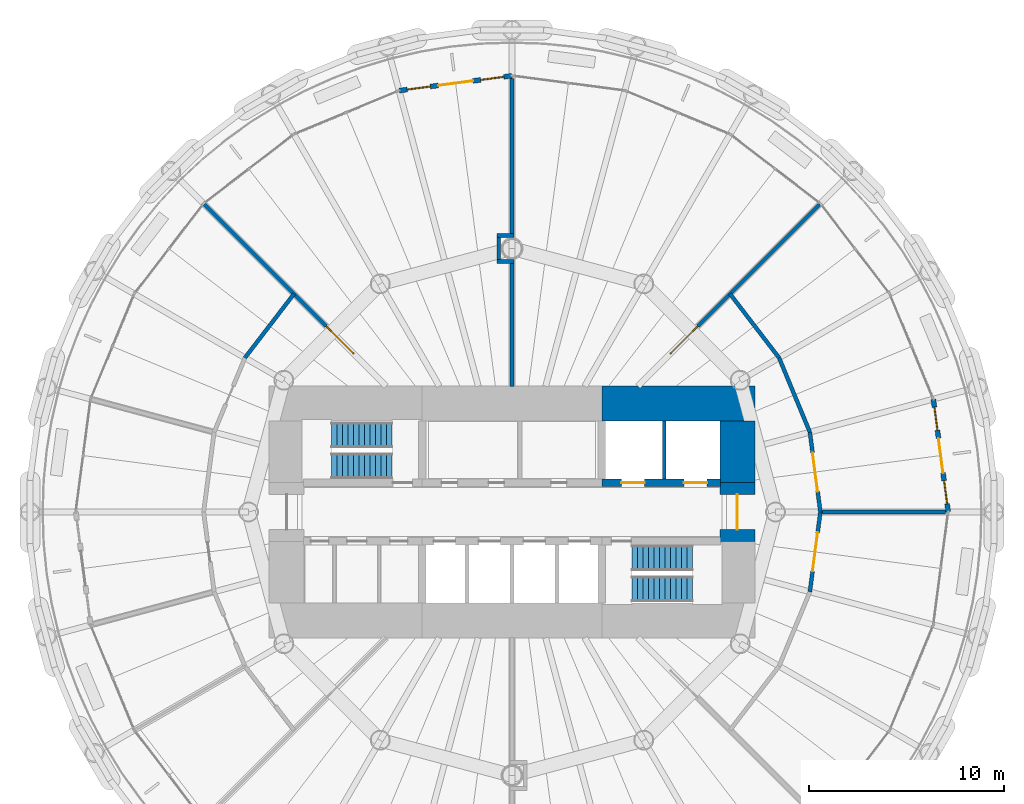
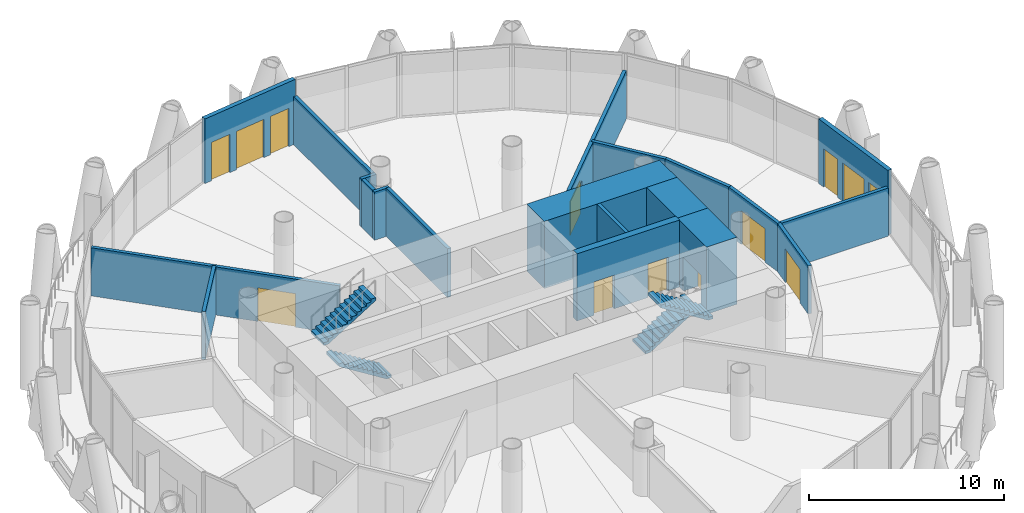
# One storey, part 11 of 15: 20 walls, 9 doors, 4 stair flights, 4 windows, 13 openings, 2 elements without a shape of their own.
"""IFC4 building model written with IfcOpenShell, lengths in metres."""

from ifc_helpers import new_model, si_unit, direction, frame, frame_2d, origin, place, context, subcontext, project, spatial, polyline, rectangle, outline, extrude, material, layer, layer_set, type_object, element, fill, aggregate, save


model = new_model("IFC4")

# Units and contexts
model_context = context("Model", 3, precision=1e-05, world=origin(), true_north=direction((0.0, 1.0)))
body_context = subcontext(model_context, "Body", "Model", "MODEL_VIEW")
ifc_project = project(units=[si_unit("LENGTHUNIT", "METRE"), si_unit("AREAUNIT", "SQUARE_METRE"), si_unit("VOLUMEUNIT", "CUBIC_METRE"), si_unit("PLANEANGLEUNIT", "RADIAN"), si_unit("MASSUNIT", "GRAM", prefix="KILO")], contexts=[model_context])

# Site, building, storey
site_placement = place(None, origin())
site = spatial("IfcSite", under=ifc_project, at=site_placement, CompositionType="ELEMENT")
building_placement = place(site_placement, origin())
building = spatial("IfcBuilding", under=site, at=building_placement, Name="Qaws Media Tower", CompositionType="ELEMENT")
storey_placement = place(building_placement, frame((0.0, 0.0, 156.199951171875)))
storey = spatial("IfcBuildingStorey", under=building, at=storey_placement, Name="L35", CompositionType="ELEMENT", Elevation=156.199951171875)

# Wall, openings, door, windows
ifc_material_1 = material(Name="Precast concrete, exposed finish", Category="concrete")
ifc_layer_1 = layer(ifc_material_1, 0.25)
ifc_layer_set_1 = layer_set([ifc_layer_1], Name="Balcony door wall 250")
wall_type_1 = type_object("IfcWallType", Name="Balcony door wall 250", PredefinedType="SOLIDWALL", material=ifc_layer_set_1)
wall_1_placement = place(storey_placement, frame((82.35009765625, 50.0, 0.0), z_axis=(0.0, 0.0, 1.0), x_axis=(-0.130551928551, 0.991441472782, 0.0)))
wall_1 = element("IfcWall", 1, at=wall_1_placement, inside=storey, type_object=wall_type_1, Name="W205 EW1 balcony door wall L35-01", PredefinedType="SOLIDWALL", context=body_context, shape_type="SweptSolid", body=[
    extrude(rectangle(XDim=5.834716796875, YDim=0.25, at=frame_2d((2.91748046875, 0.0))), origin(), (0.0, 0.0, 1.0), 4.0400390625),
])
opening_1_placement = place(wall_1_placement, frame((2.017333984375, 0.0, 0.0)))
opening_1 = element("IfcOpeningElement", 2, at=opening_1_placement, cuts=wall_1, Name="Opening D7", PredefinedType="OPENING", context=body_context, shape_type="SweptSolid", body=[
    extrude(rectangle(XDim=1.800048828125, YDim=2.39990234375, at=frame_2d((0.89990234375, 1.199951171875))), frame((0.0, 0.135009765625, 0.0), z_axis=(0.0, -1.0, 0.0), x_axis=(1.0, 0.0, 0.0)), (0.0, 0.0, 1.0), 0.27001953125),
])
opening_2_placement = place(wall_1_placement, frame((0.417236328125, 0.0, 0.0)))
opening_2 = element("IfcOpeningElement", 3, at=opening_2_placement, cuts=wall_1, Name="Opening W1", PredefinedType="OPENING", context=body_context, shape_type="SweptSolid", body=[
    extrude(rectangle(XDim=1.199951171875, YDim=2.39990234375, at=frame_2d((0.60009765625, 1.199951171875))), frame((0.0, 0.135009765625, 0.0), z_axis=(0.0, -1.0, 0.0), x_axis=(1.0, 0.0, 0.0)), (0.0, 0.0, 1.0), 0.27001953125),
])
opening_3_placement = place(wall_1_placement, frame((4.21728515625, 0.0, 0.0)))
opening_3 = element("IfcOpeningElement", 4, at=opening_3_placement, cuts=wall_1, Name="Opening W1", PredefinedType="OPENING", context=body_context, shape_type="SweptSolid", body=[
    extrude(rectangle(XDim=1.199951171875, YDim=2.39990234375, at=frame_2d((0.60009765625, 1.199951171875))), frame((0.0, 0.135009765625, 0.0), z_axis=(0.0, -1.0, 0.0), x_axis=(1.0, 0.0, 0.0)), (0.0, 0.0, 1.0), 0.27001953125),
])
ifc_material_2 = material(Name="Aluminium and clear glass", Category="aluminium")
door_type_1 = type_object("IfcDoorType", Name="Balcony door pair 1800", OperationType="DOUBLE_DOOR_SLIDING", PredefinedType="DOOR", material=ifc_material_2)
door_1_placement = place(opening_1_placement, origin())
door_1 = element("IfcDoor", 5, at=door_1_placement, inside=storey, type_object=door_type_1, Name="D7 balcony door L35-01 in wall W205", OperationType="DOUBLE_DOOR_SLIDING", OverallHeight=2.39990234375, OverallWidth=1.800048828125, PredefinedType="DOOR", context=body_context, shape_type="SweptSolid", body=[
    extrude(rectangle(XDim=1.800048828125, YDim=2.39990234375, at=frame_2d((0.89990234375, 1.199951171875))), frame((0.0, 0.02490234375, 0.0), z_axis=(0.0, -1.0, 0.0), x_axis=(1.0, 0.0, 0.0)), (0.0, 0.0, 1.0), 0.050048828125),
])
fill(opening_1, door_1)
ifc_material_3 = material(Name="Aluminium and clear glass", Category="aluminium")
window_type = type_object("IfcWindowType", Name="Balcony side window 1200", PartitioningType="SINGLE_PANEL", PredefinedType="WINDOW", material=ifc_material_3)
window_1_placement = place(opening_2_placement, origin())
window_1 = element("IfcWindow", 6, at=window_1_placement, inside=storey, type_object=window_type, Name="W1 balcony side light L35-01L", OverallHeight=2.39990234375, OverallWidth=1.199951171875, PartitioningType="SINGLE_PANEL", PredefinedType="WINDOW", context=body_context, shape_type="SweptSolid", body=[
    extrude(rectangle(XDim=1.199951171875, YDim=2.39990234375, at=frame_2d((0.60009765625, 1.199951171875))), frame((0.0, 0.030029296875, 0.0), z_axis=(0.0, -1.0, 0.0), x_axis=(1.0, 0.0, 0.0)), (0.0, 0.0, 1.0), 0.06005859375),
])
fill(opening_2, window_1)
window_2_placement = place(opening_3_placement, origin())
window_2 = element("IfcWindow", 7, at=window_2_placement, inside=storey, type_object=window_type, Name="W1 balcony side light L35-01R", OverallHeight=2.39990234375, OverallWidth=1.199951171875, PartitioningType="SINGLE_PANEL", PredefinedType="WINDOW", context=body_context, shape_type="SweptSolid", body=[
    extrude(rectangle(XDim=1.199951171875, YDim=2.39990234375, at=frame_2d((0.60009765625, 1.199951171875))), frame((0.0, 0.030029296875, 0.0), z_axis=(0.0, -1.0, 0.0), x_axis=(1.0, 0.0, 0.0)), (0.0, 0.0, 1.0), 0.06005859375),
])
fill(opening_3, window_2)

wall_2_placement = place(storey_placement, frame((60.0, 72.35009765625, 0.0), z_axis=(0.0, 0.0, 1.0), x_axis=(-0.991441472782, -0.130551928551, 0.0)))
wall_2 = element("IfcWall", 8, at=wall_2_placement, inside=storey, type_object=wall_type_1, Name="W204 EW1 balcony door wall L35-07", PredefinedType="SOLIDWALL", context=body_context, shape_type="SweptSolid", body=[
    extrude(rectangle(XDim=5.834716796875, YDim=0.25, at=frame_2d((2.91748046875, 0.0))), origin(), (0.0, 0.0, 1.0), 4.0400390625),
])
opening_4_placement = place(wall_2_placement, frame((2.017333984375, 0.0, 0.0)))
opening_4 = element("IfcOpeningElement", 9, at=opening_4_placement, cuts=wall_2, Name="Opening D7", PredefinedType="OPENING", context=body_context, shape_type="SweptSolid", body=[
    extrude(rectangle(XDim=1.800048828125, YDim=2.39990234375, at=frame_2d((0.89990234375, 1.199951171875))), frame((0.0, 0.135009765625, 0.0), z_axis=(0.0, -1.0, 0.0), x_axis=(1.0, 0.0, 0.0)), (0.0, 0.0, 1.0), 0.27001953125),
])
opening_5_placement = place(wall_2_placement, frame((0.417236328125, 0.0, 0.0)))
opening_5 = element("IfcOpeningElement", 10, at=opening_5_placement, cuts=wall_2, Name="Opening W1", PredefinedType="OPENING", context=body_context, shape_type="SweptSolid", body=[
    extrude(rectangle(XDim=1.199951171875, YDim=2.39990234375, at=frame_2d((0.60009765625, 1.199951171875))), frame((0.0, 0.135009765625, 0.0), z_axis=(0.0, -1.0, 0.0), x_axis=(1.0, 0.0, 0.0)), (0.0, 0.0, 1.0), 0.27001953125),
])
opening_6_placement = place(wall_2_placement, frame((4.21728515625, 0.0, 0.0)))
opening_6 = element("IfcOpeningElement", 11, at=opening_6_placement, cuts=wall_2, Name="Opening W1", PredefinedType="OPENING", context=body_context, shape_type="SweptSolid", body=[
    extrude(rectangle(XDim=1.199951171875, YDim=2.39990234375, at=frame_2d((0.60009765625, 1.199951171875))), frame((0.0, 0.135009765625, 0.0), z_axis=(0.0, -1.0, 0.0), x_axis=(1.0, 0.0, 0.0)), (0.0, 0.0, 1.0), 0.27001953125),
])
door_2_placement = place(opening_4_placement, origin())
door_2 = element("IfcDoor", 12, at=door_2_placement, inside=storey, type_object=door_type_1, Name="D7 balcony door L35-07 in wall W204", OperationType="DOUBLE_DOOR_SLIDING", OverallHeight=2.39990234375, OverallWidth=1.800048828125, PredefinedType="DOOR", context=body_context, shape_type="SweptSolid", body=[
    extrude(rectangle(XDim=1.800048828125, YDim=2.39990234375, at=frame_2d((0.89990234375, 1.199951171875))), frame((0.0, 0.02490234375, 0.0), z_axis=(0.0, -1.0, 0.0), x_axis=(1.0, 0.0, 0.0)), (0.0, 0.0, 1.0), 0.050048828125),
])
fill(opening_4, door_2)
window_3_placement = place(opening_5_placement, origin())
window_3 = element("IfcWindow", 13, at=window_3_placement, inside=storey, type_object=window_type, Name="W1 balcony side light L35-07L", OverallHeight=2.39990234375, OverallWidth=1.199951171875, PartitioningType="SINGLE_PANEL", PredefinedType="WINDOW", context=body_context, shape_type="SweptSolid", body=[
    extrude(rectangle(XDim=1.199951171875, YDim=2.39990234375, at=frame_2d((0.60009765625, 1.199951171875))), frame((0.0, 0.030029296875, 0.0), z_axis=(0.0, -1.0, 0.0), x_axis=(1.0, 0.0, 0.0)), (0.0, 0.0, 1.0), 0.06005859375),
])
fill(opening_5, window_3)
window_4_placement = place(opening_6_placement, origin())
window_4 = element("IfcWindow", 14, at=window_4_placement, inside=storey, type_object=window_type, Name="W1 balcony side light L35-07R", OverallHeight=2.39990234375, OverallWidth=1.199951171875, PartitioningType="SINGLE_PANEL", PredefinedType="WINDOW", context=body_context, shape_type="SweptSolid", body=[
    extrude(rectangle(XDim=1.199951171875, YDim=2.39990234375, at=frame_2d((0.60009765625, 1.199951171875))), frame((0.0, 0.030029296875, 0.0), z_axis=(0.0, -1.0, 0.0), x_axis=(1.0, 0.0, 0.0)), (0.0, 0.0, 1.0), 0.06005859375),
])
fill(opening_6, window_4)

# Wall, openings, doors
ifc_material_4 = material(Name="Concrete C60/75", Category="concrete")
ifc_layer_2 = layer(ifc_material_4, 0.39990234375)
ifc_layer_set_2 = layer_set([ifc_layer_2], Name="Core inner wall 400")
wall_type_2 = type_object("IfcWallType", Name="Core inner wall 400", PredefinedType="SHEAR", material=ifc_layer_set_2)
wall_3_placement = place(storey_placement, frame((64.60009765625, 51.5, 0.0), z_axis=(0.0, 0.0, 1.0), x_axis=(1.0, 0.0, 0.0)))
wall_3 = element("IfcWall", 15, at=wall_3_placement, inside=storey, type_object=wall_type_2, Name="W326 SW4 core wall SPNE L35", PredefinedType="SHEAR", context=body_context, shape_type="SweptSolid", body=[
    extrude(rectangle(XDim=6.06982421875, YDim=0.39990234375, at=frame_2d((3.034912109375, 0.0))), origin(), (0.0, 0.0, 1.0), 4.199951171875),
])
opening_7_placement = place(wall_3_placement, frame((1.0, 0.0, 0.0)))
opening_7 = element("IfcOpeningElement", 16, at=opening_7_placement, cuts=wall_3, Name="Opening LD2", PredefinedType="OPENING", context=body_context, shape_type="SweptSolid", body=[
    extrude(rectangle(XDim=1.199951171875, YDim=2.10009765625, at=frame_2d((0.60009765625, 1.050048828125))), frame((0.0, 0.2099609375, 0.0), z_axis=(0.0, -1.0, 0.0), x_axis=(1.0, 0.0, 0.0)), (0.0, 0.0, 1.0), 0.419921875),
])
opening_8_placement = place(wall_3_placement, frame((4.199951171875, 0.0, 0.0)))
opening_8 = element("IfcOpeningElement", 17, at=opening_8_placement, cuts=wall_3, Name="Opening LD2", PredefinedType="OPENING", context=body_context, shape_type="SweptSolid", body=[
    extrude(rectangle(XDim=1.199951171875, YDim=2.10009765625, at=frame_2d((0.60009765625, 1.050048828125))), frame((0.0, 0.2099609375, 0.0), z_axis=(0.0, -1.0, 0.0), x_axis=(1.0, 0.0, 0.0)), (0.0, 0.0, 1.0), 0.419921875),
])
ifc_material_5 = material(Name="Steel, fire rated", Category="steel")
door_type_2 = type_object("IfcDoorType", Name="Lift landing door 1200", OperationType="SLIDING_TO_LEFT", PredefinedType="DOOR", material=ifc_material_5)
door_3_placement = place(opening_7_placement, origin())
door_3 = element("IfcDoor", 18, at=door_3_placement, inside=storey, type_object=door_type_2, Name="FL1 landing door L35 in wall W326", OperationType="SLIDING_TO_LEFT", OverallHeight=2.10009765625, OverallWidth=1.199951171875, PredefinedType="DOOR", context=body_context, shape_type="SweptSolid", body=[
    extrude(rectangle(XDim=1.199951171875, YDim=2.10009765625, at=frame_2d((0.60009765625, 1.050048828125))), frame((0.0, 0.02490234375, 0.0), z_axis=(0.0, -1.0, 0.0), x_axis=(1.0, 0.0, 0.0)), (0.0, 0.0, 1.0), 0.050048828125),
])
fill(opening_7, door_3)
door_4_placement = place(opening_8_placement, origin())
door_4 = element("IfcDoor", 19, at=door_4_placement, inside=storey, type_object=door_type_2, Name="FL2 landing door L35 in wall W326", OperationType="SLIDING_TO_LEFT", OverallHeight=2.10009765625, OverallWidth=1.199951171875, PredefinedType="DOOR", context=body_context, shape_type="SweptSolid", body=[
    extrude(rectangle(XDim=1.199951171875, YDim=2.10009765625, at=frame_2d((0.60009765625, 1.050048828125))), frame((0.0, 0.02490234375, 0.0), z_axis=(0.0, -1.0, 0.0), x_axis=(1.0, 0.0, 0.0)), (0.0, 0.0, 1.0), 0.050048828125),
])
fill(opening_8, door_4)

# Wall
ifc_material_6 = material(Name="Concrete C60/75", Category="concrete")
ifc_layer_3 = layer(ifc_material_6, 1.800048828125)
ifc_layer_set_3 = layer_set([ifc_layer_3], Name="Core wall 1800")
wall_type_3 = type_object("IfcWallType", Name="Core wall 1800", PredefinedType="SHEAR", material=ifc_layer_set_3)
wall_4_placement = place(storey_placement, frame((64.60009765625, 55.550048828125, 0.0), z_axis=(0.0, 0.0, 1.0), x_axis=(1.0, 0.0, 0.0)))
element("IfcWall", 20, at=wall_4_placement, inside=storey, type_object=wall_type_3, Name="W423 SW11 core wall NE L35", PredefinedType="SHEAR", context=body_context, shape_type="SweptSolid", body=[
    extrude(rectangle(XDim=7.849853515625, YDim=1.800048828125, at=frame_2d((3.9248046875, 0.0))), origin(), (0.0, 0.0, 1.0), 4.199951171875),
])

# Wall, opening, door
wall_5_placement = place(storey_placement, frame((71.550048828125, 48.5, 0.0), z_axis=(0.0, 0.0, 1.0), x_axis=(0.0, 1.0, 0.0)))
wall_5 = element("IfcWall", 21, at=wall_5_placement, inside=storey, type_object=wall_type_3, Name="W427 SW11 core wall E L35", PredefinedType="SHEAR", context=body_context, shape_type="SweptSolid", body=[
    extrude(rectangle(XDim=3.0, YDim=1.800048828125, at=frame_2d((1.5, 0.0))), origin(), (0.0, 0.0, 1.0), 4.199951171875),
])
opening_9_placement = place(wall_5_placement, frame((0.60009765625, 0.0, 0.0)))
opening_9 = element("IfcOpeningElement", 22, at=opening_9_placement, cuts=wall_5, Name="Opening D2", PredefinedType="OPENING", context=body_context, shape_type="SweptSolid", body=[
    extrude(rectangle(XDim=1.800048828125, YDim=2.10009765625, at=frame_2d((0.89990234375, 1.050048828125))), frame((0.0, 0.909912109375, 0.0), z_axis=(0.0, -1.0, 0.0), x_axis=(1.0, 0.0, 0.0)), (0.0, 0.0, 1.0), 1.820068359375),
])
ifc_material_7 = material(Name="Steel and glass, fire rated", Category="steel")
door_type_3 = type_object("IfcDoorType", Name="Lobby door pair 1800 FD60", OperationType="DOUBLE_DOOR_DOUBLE_SWING", PredefinedType="DOOR", material=ifc_material_7)
door_5_placement = place(opening_9_placement, origin())
door_5 = element("IfcDoor", 23, at=door_5_placement, inside=storey, type_object=door_type_3, Name="D2 core lobby door E L35 in wall W427", OperationType="DOUBLE_DOOR_DOUBLE_SWING", OverallHeight=2.10009765625, OverallWidth=1.800048828125, PredefinedType="DOOR", context=body_context, shape_type="SweptSolid", body=[
    extrude(rectangle(XDim=1.800048828125, YDim=2.10009765625, at=frame_2d((0.89990234375, 1.050048828125))), frame((0.0, 0.02490234375, 0.0), z_axis=(0.0, -1.0, 0.0), x_axis=(1.0, 0.0, 0.0)), (0.0, 0.0, 1.0), 0.050048828125),
])
fill(opening_9, door_5)

# Walls
wall_6_placement = place(storey_placement, frame((71.550048828125, 51.5, 0.0), z_axis=(0.0, 0.0, 1.0), x_axis=(0.0, 1.0, 0.0)))
element("IfcWall", 24, at=wall_6_placement, inside=storey, type_object=wall_type_3, Name="W425 SW11 core wall EN L35", PredefinedType="SHEAR", context=body_context, shape_type="SweptSolid", body=[
    extrude(rectangle(XDim=3.169921875, YDim=1.800048828125, at=frame_2d((1.5849609375, 0.0))), origin(), (0.0, 0.0, 1.0), 4.199951171875),
])
ifc_material_8 = material(Name="Gypsum board on galvanised metal studs, acoustic double stud, deflection head", Category="gypsum")
ifc_layer_4 = layer(ifc_material_8, 0.199951171875)
ifc_layer_set_4 = layer_set([ifc_layer_4], Name="Room partition 200")
wall_type_4 = type_object("IfcWallType", Name="Room partition 200", PredefinedType="PARTITIONING", material=ifc_layer_set_4)
for number, where, z_axis, x_axis, name in (
    (25, (46.31689453125, 57.89990234375, 0.0), (0.0, 0.0, 1.0), (0.608714823874, 0.793389099494, 0.0), "W1340 IW3 partition L35"),
    (26, (71.17236328125, 61.17236328125, 0.0), (0.0, 0.0, 1.0), (0.608714823874, -0.793389099494, 0.0), "W1353 IW3 partition L35"),
):
    element("IfcWall", number, at=place(storey_placement, frame(where, z_axis=z_axis, x_axis=x_axis)), inside=storey, type_object=wall_type_4, Name=name, PredefinedType="PARTITIONING", context=body_context, shape_type="SweptSolid", body=[
        extrude(rectangle(XDim=4.124755859375, YDim=0.199951171875, at=frame_2d((2.0625, 0.0))), origin(), (0.0, 0.0, 1.0), 3.011962890625),
    ])
wall_7_placement = place(storey_placement, frame((73.68310546875, 57.89990234375, 0.0), z_axis=(0.0, 0.0, 1.0), x_axis=(0.382731667114, -0.923859551549, 0.0)))
element("IfcWall", 27, at=wall_7_placement, inside=storey, type_object=wall_type_4, Name="W1355 IW3 partition L35", PredefinedType="PARTITIONING", context=body_context, shape_type="SweptSolid", body=[
    extrude(rectangle(XDim=4.12451171875, YDim=0.199951171875, at=frame_2d((2.062255859375, 0.0))), origin(), (0.0, 0.0, 1.0), 3.011962890625),
])

# Wall, opening, door
wall_8_placement = place(storey_placement, frame((75.26171875, 54.08935546875, 0.0), z_axis=(0.0, 0.0, 1.0), x_axis=(0.130515758099, -0.991446234996, 0.0)))
wall_8 = element("IfcWall", 28, at=wall_8_placement, inside=storey, type_object=wall_type_4, Name="W1357 IW3 partition L35", PredefinedType="PARTITIONING", context=body_context, shape_type="SweptSolid", body=[
    extrude(rectangle(XDim=4.124755859375, YDim=0.199951171875, at=frame_2d((2.0625, 0.0))), origin(), (0.0, 0.0, 1.0), 3.011962890625),
])
opening_10_placement = place(wall_8_placement, frame((1.062255859375, 0.0, 0.0)))
opening_10 = element("IfcOpeningElement", 29, at=opening_10_placement, cuts=wall_8, Name="Opening D6", PredefinedType="OPENING", context=body_context, shape_type="SweptSolid", body=[
    extrude(rectangle(XDim=2.0, YDim=2.10009765625, at=frame_2d((1.0, 1.050048828125))), frame((0.0, 0.10986328125, 0.0), z_axis=(0.0, -1.0, 0.0), x_axis=(1.0, 0.0, 0.0)), (0.0, 0.0, 1.0), 0.219970703125),
])
ifc_material_9 = material(Name="Steel, acoustic, fire rated", Category="steel")
door_type_4 = type_object("IfcDoorType", Name="Room door pair 2000", OperationType="DOUBLE_DOOR_DOUBLE_SWING", PredefinedType="DOOR", material=ifc_material_9)
door_6_placement = place(opening_10_placement, origin())
door_6 = element("IfcDoor", 30, at=door_6_placement, inside=storey, type_object=door_type_4, Name="D6 IT office door L35 in wall W1357", OperationType="DOUBLE_DOOR_DOUBLE_SWING", OverallHeight=2.10009765625, OverallWidth=2.0, PredefinedType="DOOR", context=body_context, shape_type="SweptSolid", body=[
    extrude(rectangle(XDim=2.0, YDim=2.10009765625, at=frame_2d((1.0, 1.050048828125))), frame((0.0, 0.02490234375, 0.0), z_axis=(0.0, -1.0, 0.0), x_axis=(1.0, 0.0, 0.0)), (0.0, 0.0, 1.0), 0.050048828125),
])
fill(opening_10, door_6)

wall_9_placement = place(storey_placement, frame((75.800048828125, 50.0, 0.0), z_axis=(0.0, 0.0, 1.0), x_axis=(-0.130515758099, -0.991446234996, 0.0)))
wall_9 = element("IfcWall", 31, at=wall_9_placement, inside=storey, type_object=wall_type_4, Name="W1358 IW3 partition L35", PredefinedType="PARTITIONING", context=body_context, shape_type="SweptSolid", body=[
    extrude(rectangle(XDim=4.124755859375, YDim=0.199951171875, at=frame_2d((2.0625, 0.0))), origin(), (0.0, 0.0, 1.0), 3.011962890625),
])
opening_11_placement = place(wall_9_placement, frame((1.062255859375, 0.0, 0.0)))
opening_11 = element("IfcOpeningElement", 32, at=opening_11_placement, cuts=wall_9, Name="Opening D6", PredefinedType="OPENING", context=body_context, shape_type="SweptSolid", body=[
    extrude(rectangle(XDim=2.0, YDim=2.10009765625, at=frame_2d((1.0, 1.050048828125))), frame((0.0, 0.10986328125, 0.0), z_axis=(0.0, -1.0, 0.0), x_axis=(1.0, 0.0, 0.0)), (0.0, 0.0, 1.0), 0.219970703125),
])
door_7_placement = place(opening_11_placement, origin())
door_7 = element("IfcDoor", 33, at=door_7_placement, inside=storey, type_object=door_type_4, Name="D6 IT service office door L35 in wall W1358", OperationType="DOUBLE_DOOR_DOUBLE_SWING", OverallHeight=2.10009765625, OverallWidth=2.0, PredefinedType="DOOR", context=body_context, shape_type="SweptSolid", body=[
    extrude(rectangle(XDim=2.0, YDim=2.10009765625, at=frame_2d((1.0, 1.050048828125))), frame((0.0, 0.02490234375, 0.0), z_axis=(0.0, -1.0, 0.0), x_axis=(1.0, 0.0, 0.0)), (0.0, 0.0, 1.0), 0.050048828125),
])
fill(opening_11, door_7)

# Wall
wall_10_placement = place(storey_placement, frame((75.800048828125, 50.0, 0.0), z_axis=(0.0, 0.0, 1.0), x_axis=(1.0, 0.0, 0.0)))
element("IfcWall", 34, at=wall_10_placement, inside=storey, type_object=wall_type_4, Name="W1359 IW3 partition L35", PredefinedType="PARTITIONING", context=body_context, shape_type="SweptSolid", body=[
    extrude(rectangle(XDim=6.409912109375, YDim=0.199951171875, at=frame_2d((3.205078125, 0.0))), origin(), (0.0, 0.0, 1.0), 3.011962890625),
])

# Wall, opening, door
wall_11_placement = place(storey_placement, frame((66.449951171875, 56.449951171875, 0.0), z_axis=(0.0, 0.0, 1.0), x_axis=(0.707106781187, 0.707106781187, 0.0)))
wall_11 = element("IfcWall", 35, at=wall_11_placement, inside=storey, type_object=wall_type_4, Name="W1352 IW3 partition L35", PredefinedType="PARTITIONING", context=body_context, shape_type="SweptSolid", body=[
    extrude(rectangle(XDim=13.1884765625, YDim=0.199951171875, at=frame_2d((6.59423828125, 0.0))), origin(), (0.0, 0.0, 1.0), 3.011962890625),
])
opening_12_placement = place(wall_11_placement, frame((2.339111328125, 0.0, 0.0)))
opening_12 = element("IfcOpeningElement", 36, at=opening_12_placement, cuts=wall_11, Name="Opening D6", PredefinedType="OPENING", context=body_context, shape_type="SweptSolid", body=[
    extrude(rectangle(XDim=2.0, YDim=2.10009765625, at=frame_2d((1.0, 1.050048828125))), frame((0.0, 0.10986328125, 0.0), z_axis=(0.0, -1.0, 0.0), x_axis=(1.0, 0.0, 0.0)), (0.0, 0.0, 1.0), 0.219970703125),
])
door_8_placement = place(opening_12_placement, origin())
door_8 = element("IfcDoor", 37, at=door_8_placement, inside=storey, type_object=door_type_4, Name="D6 IT open office door L35 in wall W1352", OperationType="DOUBLE_DOOR_DOUBLE_SWING", OverallHeight=2.10009765625, OverallWidth=2.0, PredefinedType="DOOR", context=body_context, shape_type="SweptSolid", body=[
    extrude(rectangle(XDim=2.0, YDim=2.10009765625, at=frame_2d((1.0, 1.050048828125))), frame((0.0, 0.02490234375, 0.0), z_axis=(0.0, -1.0, 0.0), x_axis=(1.0, 0.0, 0.0)), (0.0, 0.0, 1.0), 0.050048828125),
])
fill(opening_12, door_8)

# Walls
for number, where, z_axis, x_axis, name in (
    (38, (60.10009765625, 62.83203125, 0.0), (0.0, 0.0, 1.0), (-1.0, 0.0, 0.0), "W1348 IW3 partition return L35"),
    (39, (60.10009765625, 64.16796875, 0.0), (0.0, 0.0, 1.0), (-1.0, 0.0, 0.0), "W1349 IW3 partition return L35"),
):
    element("IfcWall", number, at=place(storey_placement, frame(where, z_axis=z_axis, x_axis=x_axis)), inside=storey, type_object=wall_type_4, Name=name, PredefinedType="PARTITIONING", context=body_context, shape_type="SweptSolid", body=[
        extrude(rectangle(XDim=0.878173828125, YDim=0.199951171875, at=frame_2d((0.43896484375, 0.0))), origin(), (0.0, 0.0, 1.0), 3.011962890625),
    ])
wall_12_placement = place(storey_placement, frame((59.322021484375, 62.931884765625, 0.0), z_axis=(0.0, 0.0, 1.0), x_axis=(0.0, 1.0, 0.0)))
element("IfcWall", 40, at=wall_12_placement, inside=storey, type_object=wall_type_4, Name="W1343 IW3 partition return L35", PredefinedType="PARTITIONING", context=body_context, shape_type="SweptSolid", body=[
    extrude(rectangle(XDim=1.13623046875, YDim=0.199951171875, at=frame_2d((0.568115234375, 0.0))), origin(), (0.0, 0.0, 1.0), 3.011962890625),
])
wall_13_placement = place(storey_placement, frame((60.0, 56.43994140625, 0.0), z_axis=(0.0, 0.0, 1.0), x_axis=(0.0, 1.0, 0.0)))
element("IfcWall", 41, at=wall_13_placement, inside=storey, type_object=wall_type_4, Name="W1318 IW3 partition L35", PredefinedType="PARTITIONING", context=body_context, shape_type="SweptSolid", body=[
    extrude(rectangle(XDim=6.2919921875, YDim=0.199951171875, at=frame_2d((3.14599609375, 0.0))), origin(), (0.0, 0.0, 1.0), 3.0400390625),
])
wall_14_placement = place(storey_placement, frame((60.0, 64.26806640625, 0.0), z_axis=(0.0, 0.0, 1.0), x_axis=(0.0, 1.0, 0.0)))
element("IfcWall", 42, at=wall_14_placement, inside=storey, type_object=wall_type_4, Name="W1347 IW3 partition L35", PredefinedType="PARTITIONING", context=body_context, shape_type="SweptSolid", body=[
    extrude(rectangle(XDim=7.94189453125, YDim=0.199951171875, at=frame_2d((3.970947265625, 0.0))), origin(), (0.0, 0.0, 1.0), 3.011962890625),
])

# Wall, opening, door
wall_15_placement = place(storey_placement, frame((53.550048828125, 56.449951171875, 0.0), z_axis=(0.0, 0.0, 1.0), x_axis=(-0.707106781187, 0.707106781187, 0.0)))
wall_15 = element("IfcWall", 43, at=wall_15_placement, inside=storey, type_object=wall_type_4, Name="W1342 IW3 partition L35", PredefinedType="PARTITIONING", context=body_context, shape_type="SweptSolid", body=[
    extrude(rectangle(XDim=13.1884765625, YDim=0.199951171875, at=frame_2d((6.59423828125, 0.0))), origin(), (0.0, 0.0, 1.0), 3.011962890625),
])
opening_13_placement = place(wall_15_placement, frame((2.339111328125, 0.0, 0.0)))
opening_13 = element("IfcOpeningElement", 44, at=opening_13_placement, cuts=wall_15, Name="Opening D6", PredefinedType="OPENING", context=body_context, shape_type="SweptSolid", body=[
    extrude(rectangle(XDim=2.0, YDim=2.10009765625, at=frame_2d((1.0, 1.050048828125))), frame((0.0, 0.10986328125, 0.0), z_axis=(0.0, -1.0, 0.0), x_axis=(1.0, 0.0, 0.0)), (0.0, 0.0, 1.0), 0.219970703125),
])
door_9_placement = place(opening_13_placement, origin())
door_9 = element("IfcDoor", 45, at=door_9_placement, inside=storey, type_object=door_type_4, Name="D6 Network operations room door L35 in wall W1342", OperationType="DOUBLE_DOOR_DOUBLE_SWING", OverallHeight=2.10009765625, OverallWidth=2.0, PredefinedType="DOOR", context=body_context, shape_type="SweptSolid", body=[
    extrude(rectangle(XDim=2.0, YDim=2.10009765625, at=frame_2d((1.0, 1.050048828125))), frame((0.0, 0.02490234375, 0.0), z_axis=(0.0, -1.0, 0.0), x_axis=(1.0, 0.0, 0.0)), (0.0, 0.0, 1.0), 0.050048828125),
])
fill(opening_13, door_9)

# Wall
ifc_material_10 = material(Name="Fire-rated gypsum board shaft wall on galvanised metal studs, deflection head", Category="gypsum")
ifc_layer_5 = layer(ifc_material_10, 0.199951171875)
ifc_layer_set_5 = layer_set([ifc_layer_5], Name="Shaft wall 200")
wall_type_5 = type_object("IfcWallType", Name="Shaft wall 200", PredefinedType="PARTITIONING", material=ifc_layer_set_5)
wall_16_placement = place(storey_placement, frame((67.800048828125, 51.699951171875, 0.0), z_axis=(0.0, 0.0, 1.0), x_axis=(0.0, 1.0, 0.0)))
element("IfcWall", 46, at=wall_16_placement, inside=storey, type_object=wall_type_5, Name="W1863 IW1 shaft wall FL L35", PredefinedType="PARTITIONING", context=body_context, shape_type="SweptSolid", body=[
    extrude(rectangle(XDim=2.949951171875, YDim=0.199951171875, at=frame_2d((1.47509765625, 0.0))), origin(), (0.0, 0.0, 1.0), 4.199951171875),
])

# Stair, stair flights
ifc_material_11 = material(Name="Concrete C40/50", Category="concrete")
stair_type = type_object("IfcStairType", Name="Exit stair", PredefinedType="HALF_TURN_STAIR", material=ifc_material_11)
stair_1_placement = place(storey_placement, origin())
stair_1 = element("IfcStair", 47, at=stair_1_placement, inside=storey, type_object=stair_type, Name="S1 exit stair L35", PredefinedType="HALF_TURN_STAIR")
ifc_material_12 = material(Name="Concrete C40/50", Category="concrete")
stair_flight_type = type_object("IfcStairFlightType", Name="Stair flight 1310", PredefinedType="STRAIGHT", material=ifc_material_12)
stair_flight_1_placement = place(storey_placement, frame((53.840087890625, 52.35498046875, 0.0), z_axis=(0.0, 0.0, 1.0), x_axis=(-1.0, 0.0, 0.0)))
stair_flight_1 = element("IfcStairFlight", 48, at=stair_flight_1_placement, type_object=stair_flight_type, Name="S1 flight 1", NumberOfRisers=12, NumberOfTreads=11, PredefinedType="STRAIGHT", RiserHeight=0.175, TreadLength=0.28, context=body_context, shape_type="SweptSolid", body=[
    extrude(outline(polyline([(0.0, 0.0), (0.0, 0.175048828125), (0.280029296875, 0.175048828125), (0.280029296875, 0.35009765625), (0.56005859375, 0.35009765625), (0.56005859375, 0.52490234375), (0.840087890625, 0.52490234375), (0.840087890625, 0.699951171875), (1.1201171875, 0.699951171875), (1.1201171875, 0.875), (1.39990234375, 0.875), (1.39990234375, 1.050048828125), (1.679931640625, 1.050048828125), (1.679931640625, 1.22509765625), (1.9599609375, 1.22509765625), (1.9599609375, 1.39990234375), (2.239990234375, 1.39990234375), (2.239990234375, 1.574951171875), (2.52001953125, 1.574951171875), (2.52001953125, 1.75), (2.800048828125, 1.75), (2.800048828125, 1.925048828125), (3.080078125, 1.925048828125), (3.080078125, 2.10009765625), (3.080078125, 1.748291015625), (0.28271484375, 0.0), (0.0, 0.0)])), frame((0.0, 0.655029296875, 0.0), z_axis=(0.0, -1.0, 0.0), x_axis=(1.0, 0.0, 0.0)), (0.0, 0.0, 1.0), 1.31005859375),
])
stair_flight_2_placement = place(storey_placement, frame((50.760009765625, 53.945068359375, 2.10009765625), z_axis=(0.0, 0.0, 1.0), x_axis=(1.0, 0.0, 0.0)))
stair_flight_2 = element("IfcStairFlight", 49, at=stair_flight_2_placement, type_object=stair_flight_type, Name="S1 flight 2", NumberOfRisers=12, NumberOfTreads=11, PredefinedType="STRAIGHT", RiserHeight=0.175, TreadLength=0.28, context=body_context, shape_type="SweptSolid", body=[
    extrude(outline(polyline([(0.0, 0.0), (0.0, 0.175048828125), (0.280029296875, 0.175048828125), (0.280029296875, 0.35009765625), (0.56005859375, 0.35009765625), (0.56005859375, 0.52490234375), (0.840087890625, 0.52490234375), (0.840087890625, 0.699951171875), (1.1201171875, 0.699951171875), (1.1201171875, 0.875), (1.39990234375, 0.875), (1.39990234375, 1.050048828125), (1.679931640625, 1.050048828125), (1.679931640625, 1.22509765625), (1.9599609375, 1.22509765625), (1.9599609375, 1.39990234375), (2.239990234375, 1.39990234375), (2.239990234375, 1.574951171875), (2.52001953125, 1.574951171875), (2.52001953125, 1.75), (2.800048828125, 1.75), (2.800048828125, 1.925048828125), (3.080078125, 1.925048828125), (3.080078125, 2.10009765625), (3.080078125, 1.748291015625), (0.28271484375, 0.0), (0.0, 0.0)])), frame((0.0, 0.655029296875, 0.0), z_axis=(0.0, -1.0, 0.0), x_axis=(1.0, 0.0, 0.0)), (0.0, 0.0, 1.0), 1.31005859375),
])
aggregate(stair_1, [stair_flight_1, stair_flight_2])

stair_2_placement = place(storey_placement, origin())
stair_2 = element("IfcStair", 50, at=stair_2_placement, inside=storey, type_object=stair_type, Name="S2 exit stair L35", PredefinedType="HALF_TURN_STAIR")
stair_flight_3_placement = place(storey_placement, frame((66.159912109375, 47.64501953125, 0.0), z_axis=(0.0, 0.0, 1.0), x_axis=(1.0, 0.0, 0.0)))
stair_flight_3 = element("IfcStairFlight", 51, at=stair_flight_3_placement, type_object=stair_flight_type, Name="S2 flight 1", NumberOfRisers=12, NumberOfTreads=11, PredefinedType="STRAIGHT", RiserHeight=0.175, TreadLength=0.28, context=body_context, shape_type="SweptSolid", body=[
    extrude(outline(polyline([(0.0, 0.0), (0.0, 0.175048828125), (0.280029296875, 0.175048828125), (0.280029296875, 0.35009765625), (0.56005859375, 0.35009765625), (0.56005859375, 0.52490234375), (0.840087890625, 0.52490234375), (0.840087890625, 0.699951171875), (1.1201171875, 0.699951171875), (1.1201171875, 0.875), (1.39990234375, 0.875), (1.39990234375, 1.050048828125), (1.679931640625, 1.050048828125), (1.679931640625, 1.22509765625), (1.9599609375, 1.22509765625), (1.9599609375, 1.39990234375), (2.239990234375, 1.39990234375), (2.239990234375, 1.574951171875), (2.52001953125, 1.574951171875), (2.52001953125, 1.75), (2.800048828125, 1.75), (2.800048828125, 1.925048828125), (3.080078125, 1.925048828125), (3.080078125, 2.10009765625), (3.080078125, 1.748291015625), (0.28271484375, 0.0), (0.0, 0.0)])), frame((0.0, 0.655029296875, 0.0), z_axis=(0.0, -1.0, 0.0), x_axis=(1.0, 0.0, 0.0)), (0.0, 0.0, 1.0), 1.31005859375),
])
stair_flight_4_placement = place(storey_placement, frame((69.239990234375, 46.054931640625, 2.10009765625), z_axis=(0.0, 0.0, 1.0), x_axis=(-1.0, 0.0, 0.0)))
stair_flight_4 = element("IfcStairFlight", 52, at=stair_flight_4_placement, type_object=stair_flight_type, Name="S2 flight 2", NumberOfRisers=12, NumberOfTreads=11, PredefinedType="STRAIGHT", RiserHeight=0.175, TreadLength=0.28, context=body_context, shape_type="SweptSolid", body=[
    extrude(outline(polyline([(0.0, 0.0), (0.0, 0.175048828125), (0.280029296875, 0.175048828125), (0.280029296875, 0.35009765625), (0.56005859375, 0.35009765625), (0.56005859375, 0.52490234375), (0.840087890625, 0.52490234375), (0.840087890625, 0.699951171875), (1.1201171875, 0.699951171875), (1.1201171875, 0.875), (1.39990234375, 0.875), (1.39990234375, 1.050048828125), (1.679931640625, 1.050048828125), (1.679931640625, 1.22509765625), (1.9599609375, 1.22509765625), (1.9599609375, 1.39990234375), (2.239990234375, 1.39990234375), (2.239990234375, 1.574951171875), (2.52001953125, 1.574951171875), (2.52001953125, 1.75), (2.800048828125, 1.75), (2.800048828125, 1.925048828125), (3.080078125, 1.925048828125), (3.080078125, 2.10009765625), (3.080078125, 1.748291015625), (0.28271484375, 0.0), (0.0, 0.0)])), frame((0.0, 0.655029296875, 0.0), z_axis=(0.0, -1.0, 0.0), x_axis=(1.0, 0.0, 0.0)), (0.0, 0.0, 1.0), 1.31005859375),
])
aggregate(stair_2, [stair_flight_3, stair_flight_4])

save(model, "model.ifc")
